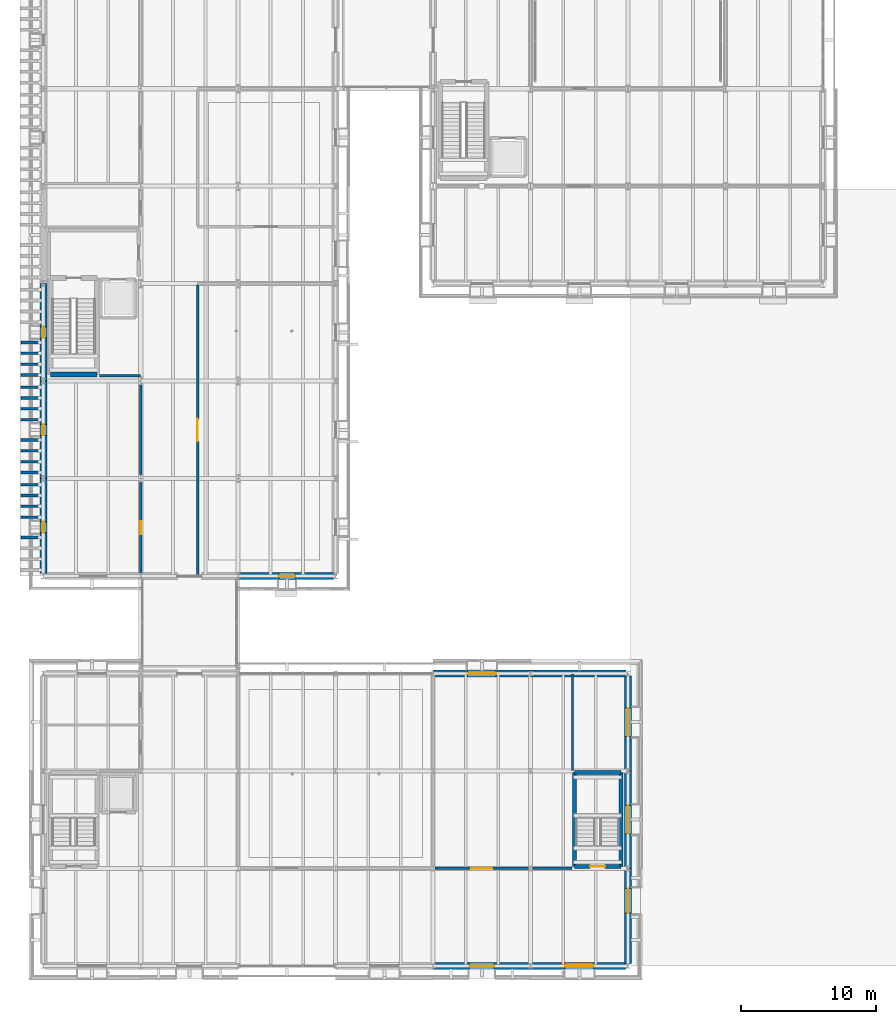
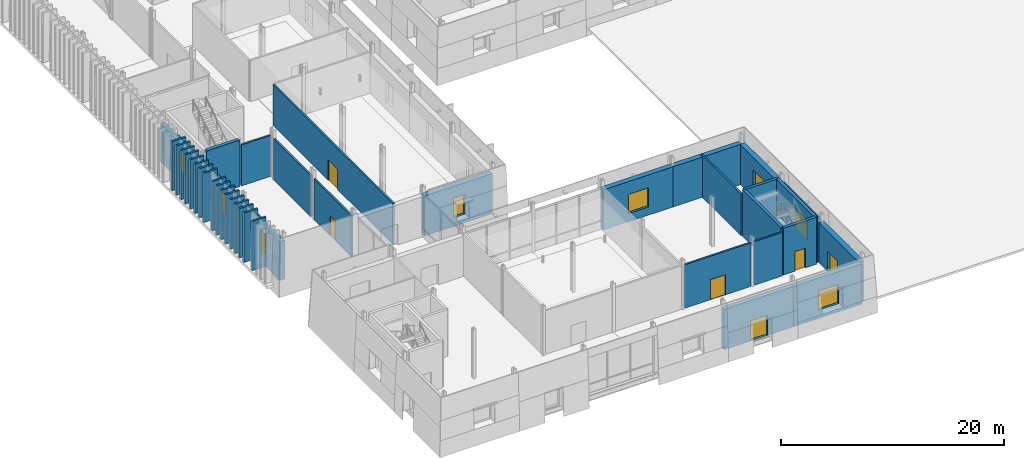
# One storey, part 68 of 120: 40 walls, 8 windows, 6 doors, 14 openings.
"""IFC4 building model written with IfcOpenShell, lengths in metres."""

import ifcopenshell
import ifcopenshell.guid

model = None  # the IFC model being written
_history = None  # IfcOwnerHistory: only IFC2X3 demands one
_inside = {}  # id of a spatial element -> (the spatial element, [elements in it])
_under = {}  # id of a project, library or spatial element -> (it, [spatial elements below it])
_declared = {}  # id of a project -> (the project, [libraries it declares])
_typed = {}  # id of a type object -> (the type object, [elements of that type])
_made_of = {}  # id of a material, layer set ... -> (it, [elements and type objects made of it])


def new_model(schema):
    """Start an empty IFC model of exactly this schema.

    Asked for "IFC4X3", IfcOpenShell would pick the latest addendum, in which some entities
    have other attributes; the version numbers below select the first issue.
    IFC2X3 requires an IfcOwnerHistory on every rooted entity: one is made here for all.
    """
    global model, _history
    if schema == "IFC4X3":
        model = ifcopenshell.file(schema_version=(4, 3, 0, 0))
    else:
        model = ifcopenshell.file(schema=schema)
    _inside.clear()
    _under.clear()
    _declared.clear()
    _typed.clear()
    _made_of.clear()
    _history = None
    if model.schema == "IFC2X3":
        org = make("IfcOrganization", Name="unknown")
        user = make(
            "IfcPersonAndOrganization",
            ThePerson=make("IfcPerson", FamilyName="unknown"),
            TheOrganization=org,
        )
        app = make(
            "IfcApplication",
            ApplicationDeveloper=org,
            Version="unknown",
            ApplicationFullName="unknown",
            ApplicationIdentifier="unknown",
        )
        _history = make(
            "IfcOwnerHistory",
            OwningUser=user,
            OwningApplication=app,
            ChangeAction="ADDED",
            CreationDate=0,
        )
    return model


def make(cls, **values):
    """One entity of the class cls with the attributes given. An attribute that is None is left unset."""
    return model.create_entity(
        cls, **{name: value for name, value in values.items() if value is not None}
    )


def rooted(cls, **values):
    """An entity with a GlobalId (a new one), such as an element, a storey or a relation."""
    return make(cls, GlobalId=ifcopenshell.guid.new(), OwnerHistory=_history, **values)


def si_unit(unit_type, name, prefix=None):
    """IfcSIUnit, for example si_unit("LENGTHUNIT", "METRE", prefix="MILLI")."""
    return make("IfcSIUnit", UnitType=unit_type, Prefix=prefix, Name=name)


def assignment(units):
    """IfcUnitAssignment: the units of a project."""
    return None if units is None else make("IfcUnitAssignment", Units=units)


def point(xyz):
    """IfcCartesianPoint."""
    return None if xyz is None else make("IfcCartesianPoint", Coordinates=xyz)


def direction(xyz):
    """IfcDirection."""
    return None if xyz is None else make("IfcDirection", DirectionRatios=xyz)


def frame(location, z_axis=None, x_axis=None):
    """IfcAxis2Placement3D, a coordinate frame: its origin and axes. An axis left out is left unset."""
    return make(
        "IfcAxis2Placement3D",
        Location=point(location),
        Axis=direction(z_axis),
        RefDirection=direction(x_axis),
    )


def frame_2d(location, x_axis=None):
    """IfcAxis2Placement2D, a coordinate frame in the plane: its origin and x axis."""
    return make(
        "IfcAxis2Placement2D", Location=point(location), RefDirection=direction(x_axis)
    )


def origin():
    """The frame at (0, 0, 0) with its axes left unset."""
    return frame((0.0, 0.0, 0.0))


def place(relative_to, where):
    """IfcLocalPlacement: puts the frame where relative to a parent placement (None: the world)."""
    return make(
        "IfcLocalPlacement", PlacementRelTo=relative_to, RelativePlacement=where
    )


def context(
    kind, dimensions, precision=None, world=None, true_north=None, identifier=None
):
    """IfcGeometricRepresentationContext, for example the 3D "Model" context."""
    return make(
        "IfcGeometricRepresentationContext",
        ContextIdentifier=identifier,
        ContextType=kind,
        CoordinateSpaceDimension=dimensions,
        Precision=precision,
        WorldCoordinateSystem=world,
        TrueNorth=true_north,
    )


def subcontext(parent, identifier, kind, view, scale=None):
    """IfcGeometricRepresentationSubContext, for example "Body" below "Model"."""
    return make(
        "IfcGeometricRepresentationSubContext",
        ContextIdentifier=identifier,
        ContextType=kind,
        ParentContext=parent,
        TargetScale=scale,
        TargetView=view,
    )


def project(units=None, contexts=None):
    """IfcProject with its units and contexts."""
    return rooted(
        "IfcProject",
        Name="project",
        RepresentationContexts=contexts,
        UnitsInContext=assignment(units),
    )


def spatial(cls, under=None, at=None, **own):
    """A site, building, storey or space (cls), placed at a placement, below another one or the project."""
    s = rooted(cls, ObjectPlacement=at, **own)
    if under is not None:
        _under.setdefault(under.id(), (under, []))[1].append(s)
    return s


def profile(cls, at=None, kind="AREA", **sizes):
    """A parametric profile (cls). Its sizes go by their IFC names, for example OverallWidth=200.0."""
    return make(cls, ProfileType=kind, Position=at, **sizes)


def rectangle(**sizes):
    """IfcRectangleProfileDef."""
    return profile("IfcRectangleProfileDef", **sizes)


def extrude(swept, where, along, depth):
    """IfcExtrudedAreaSolid: the profile swept, set in the frame where, extruded along a direction by depth."""
    return make(
        "IfcExtrudedAreaSolid",
        SweptArea=swept,
        Position=where,
        ExtrudedDirection=direction(along),
        Depth=depth,
    )


def shape(context_of_items, identifier, shape_type, items):
    """IfcShapeRepresentation: the items that make up one representation, for example the "Body"."""
    return make(
        "IfcShapeRepresentation",
        ContextOfItems=context_of_items,
        RepresentationIdentifier=identifier,
        RepresentationType=shape_type,
        Items=items,
    )


def material(Name=None, Category=None):
    """IfcMaterial."""
    return make("IfcMaterial", Name=Name, Category=Category)


def layer(
    of_material, thickness, ventilated=None, Name=None, Category=None, Priority=None
):
    """IfcMaterialLayer: one layer of a wall or slab, of a material (None: an air gap)."""
    return make(
        "IfcMaterialLayer",
        Material=of_material,
        LayerThickness=thickness,
        IsVentilated=ventilated,
        Name=Name,
        Category=Category,
        Priority=Priority,
    )


def layer_set(layers, Name=None):
    """IfcMaterialLayerSet."""
    return make("IfcMaterialLayerSet", MaterialLayers=layers, LayerSetName=Name)


def made_of(thing, what):
    """Note that an element or type object is made of a material, layer set ...; save() writes the relation."""
    if what is not None:
        _made_of.setdefault(what.id(), (what, []))[1].append(thing)
    return thing


def type_object(cls, material=None, **own):
    """A type object (cls), such as IfcWallType, which elements share."""
    return made_of(rooted(cls, **own), material)


def element(
    cls,
    number,
    at=None,
    inside=None,
    cuts=None,
    type_object=None,
    material=None,
    context=None,
    identifier="Body",
    shape_type=None,
    held_by="IfcProductDefinitionShape",
    body=None,
    shapes=None,
    **own,
):
    """One element of the class cls, such as IfcWall. Its Tag is "e" and its number.

    at: its placement. inside: the storey or other place that contains it. cuts: it is an
    opening in that element (IfcRelVoidsElement). A single representation is given by context,
    identifier, shape_type and body (its items); several are given by shapes. held_by: the class
    of the entity that holds the representations. save() writes the other relations.
    """
    e = rooted(cls, Tag="e%d" % number, ObjectPlacement=at, **own)
    if body is not None:
        shapes = [shape(context, identifier, shape_type, body)]
    if shapes is not None:
        e.Representation = make(held_by, Representations=shapes)
    if inside is not None:
        _inside.setdefault(inside.id(), (inside, []))[1].append(e)
    if cuts is not None:
        rooted(
            "IfcRelVoidsElement", RelatingBuildingElement=cuts, RelatedOpeningElement=e
        )
    if type_object is not None:
        _typed.setdefault(type_object.id(), (type_object, []))[1].append(e)
    return made_of(e, material)


def fill(opening, filler):
    """IfcRelFillsElement: the door or window that sits in an opening."""
    return rooted(
        "IfcRelFillsElement",
        RelatingOpeningElement=opening,
        RelatedBuildingElement=filler,
    )


def aggregate(whole, parts):
    """IfcRelAggregates: a whole, such as a stair, and the parts it consists of."""
    return rooted("IfcRelAggregates", RelatingObject=whole, RelatedObjects=parts)


def save(model, path):
    """Write the relations noted so far, then the file.

    IfcRelAggregates (storeys below a building ...), IfcRelContainedInSpatialStructure (elements
    in a storey), IfcRelDefinesByType, IfcRelAssociatesMaterial and IfcRelDeclares: one each for
    every whole, place, type object, material and project.
    """
    for whole, parts in _under.values():
        aggregate(whole, parts)
    for where, things in _inside.values():
        rooted(
            "IfcRelContainedInSpatialStructure",
            RelatedElements=things,
            RelatingStructure=where,
        )
    for kind, things in _typed.values():
        rooted("IfcRelDefinesByType", RelatedObjects=things, RelatingType=kind)
    for what, things in _made_of.values():
        rooted("IfcRelAssociatesMaterial", RelatedObjects=things, RelatingMaterial=what)
    for by, libraries in _declared.values():
        rooted("IfcRelDeclares", RelatingContext=by, RelatedDefinitions=libraries)
    model.write(path)


model = new_model("IFC4")

# Units and contexts
model_context = context("Model", 3, precision=1e-05, world=origin(), true_north=direction((0.0, 1.0)))
body_context = subcontext(model_context, "Body", "Model", "MODEL_VIEW")
ifc_project = project(units=[si_unit("LENGTHUNIT", "METRE"), si_unit("AREAUNIT", "SQUARE_METRE"), si_unit("VOLUMEUNIT", "CUBIC_METRE"), si_unit("PLANEANGLEUNIT", "RADIAN"), si_unit("MASSUNIT", "GRAM", prefix="KILO")], contexts=[model_context])

# Site, building, storey
site_placement = place(None, origin())
site = spatial("IfcSite", under=ifc_project, at=site_placement, CompositionType="ELEMENT")
building_placement = place(site_placement, origin())
building = spatial("IfcBuilding", under=site, at=building_placement, Name="Narikvali Park Central Library", CompositionType="ELEMENT")
storey_placement = place(building_placement, origin())
storey = spatial("IfcBuildingStorey", under=building, at=storey_placement, Name="L00", CompositionType="ELEMENT", Elevation=0.0)

# Walls
ifc_material_1 = material(Name="Kiln-Fired Terracotta Red Brick Masonry", Category="masonry")
ifc_layer_1 = layer(ifc_material_1, 0.199951171875, Name="Kiln-Fired Terracotta Red Brick Masonry")
ifc_layer_set_1 = layer_set([ifc_layer_1], Name="Kiln-Fired Terracotta Red Brick Masonry")
wall_type_1 = type_object("IfcWallType", Name="Kiln-Fired Red Brick Vertical Fin Wall 200", PredefinedType="SOLIDWALL", material=ifc_layer_set_1)
for number, where, z_axis, x_axis, name in (
    (1, (-1.659912109375, 31.64990234375, 0.0), (0.0, 0.0, 1.0), (1.0, 0.0, 0.0), "West Stacks Red Brick Vertical Fin Pier 013"),
    (2, (-1.659912109375, 33.14990234375, 0.0), (0.0, 0.0, 1.0), (1.0, 0.0, 0.0), "West Stacks Red Brick Vertical Fin Pier 017"),
    (3, (-1.659912109375, 33.949951171875, 0.0), (0.0, 0.0, 1.0), (1.0, 0.0, 0.0), "West Stacks Red Brick Vertical Fin Pier 021"),
    (4, (-1.659912109375, 34.75, 0.0), (0.0, 0.0, 1.0), (1.0, 0.0, 0.0), "West Stacks Red Brick Vertical Fin Pier 025"),
    (5, (-1.659912109375, 35.550048828125, 0.0), (0.0, 0.0, 1.0), (1.0, 0.0, 0.0), "West Stacks Red Brick Vertical Fin Pier 029"),
    (6, (-1.659912109375, 36.449951171875, 0.0), (0.0, 0.0, 1.0), (1.0, 0.0, 0.0), "West Stacks Red Brick Vertical Fin Pier 033"),
    (7, (-1.659912109375, 37.25, 0.0), (0.0, 0.0, 1.0), (1.0, 0.0, 0.0), "West Stacks Red Brick Vertical Fin Pier 038"),
    (8, (-1.659912109375, 38.050048828125, 0.0), (0.0, 0.0, 1.0), (1.0, 0.0, 0.0), "West Stacks Red Brick Vertical Fin Pier 043"),
    (9, (-1.659912109375, 38.85009765625, 0.0), (0.0, 0.0, 1.0), (1.0, 0.0, 0.0), "West Stacks Red Brick Vertical Fin Pier 048"),
    (10, (-1.659912109375, 40.35009765625, 0.0), (0.0, 0.0, 1.0), (1.0, 0.0, 0.0), "West Stacks Red Brick Vertical Fin Pier 053"),
    (11, (-1.659912109375, 41.14990234375, 0.0), (0.0, 0.0, 1.0), (1.0, 0.0, 0.0), "West Stacks Red Brick Vertical Fin Pier 058"),
    (12, (-1.659912109375, 41.949951171875, 0.0), (0.0, 0.0, 1.0), (1.0, 0.0, 0.0), "West Stacks Red Brick Vertical Fin Pier 063"),
    (13, (-1.659912109375, 42.75, 0.0), (0.0, 0.0, 1.0), (1.0, 0.0, 0.0), "West Stacks Red Brick Vertical Fin Pier 068"),
    (14, (-1.659912109375, 43.64990234375, 0.0), (0.0, 0.0, 1.0), (1.0, 0.0, 0.0), "West Stacks Red Brick Vertical Fin Pier 073"),
    (15, (-1.659912109375, 44.449951171875, 0.0), (0.0, 0.0, 1.0), (1.0, 0.0, 0.0), "West Stacks Red Brick Vertical Fin Pier 079"),
    (16, (-1.659912109375, 45.25, 0.0), (0.0, 0.0, 1.0), (1.0, 0.0, 0.0), "West Stacks Red Brick Vertical Fin Pier 085"),
    (17, (-1.659912109375, 46.050048828125, 0.0), (0.0, 0.0, 1.0), (1.0, 0.0, 0.0), "West Stacks Red Brick Vertical Fin Pier 091"),
):
    element("IfcWall", number, at=place(storey_placement, frame(where, z_axis=z_axis, x_axis=x_axis)), inside=storey, type_object=wall_type_1, Name=name, PredefinedType="SOLIDWALL", context=body_context, shape_type="SweptSolid", body=[
        extrude(rectangle(XDim=1.43994140625, YDim=0.199951171875, at=frame_2d((0.719970703125, 0.0))), origin(), (0.0, 0.0, 1.0), 5.39990234375),
    ])

# Wall, opening, door
ifc_material_2 = material(Name="Acoustic Gypsum on Steel Studs", Category="steel")
ifc_layer_2 = layer(ifc_material_2, 0.179931640625, Name="Acoustic Gypsum on Steel Studs")
ifc_layer_set_2 = layer_set([ifc_layer_2], Name="Acoustic Gypsum on Steel Studs")
wall_type_2 = type_object("IfcWallType", Name="Reading Room Acoustic Partition 180", PredefinedType="PARTITIONING", material=ifc_layer_set_2)
wall_1_placement = place(storey_placement, frame((28.9541015625, 7.199951171875, 0.0), z_axis=(0.0, 0.0, 1.0), x_axis=(1.0, 0.0, 0.0)))
wall_1 = element("IfcWall", 18, at=wall_1_placement, inside=storey, type_object=wall_type_2, Name="Young Adult Reading Room Partition S", PredefinedType="PARTITIONING", context=body_context, shape_type="SweptSolid", body=[
    extrude(rectangle(XDim=6.891845703125, YDim=0.179931640625, at=frame_2d((3.44580078125, 0.0))), origin(), (0.0, 0.0, 1.0), 4.764892578125),
])
opening_1_placement = place(wall_1_placement, frame((2.6708984375, 0.0, 0.0)))
opening_1 = element("IfcOpeningElement", 19, at=opening_1_placement, cuts=wall_1, Name="Opening ID-0053", PredefinedType="OPENING", context=body_context, shape_type="SweptSolid", body=[
    extrude(rectangle(XDim=1.550048828125, YDim=2.199951171875, at=frame_2d((0.77490234375, 1.10009765625))), frame((0.0, 0.10205078125, 0.0), z_axis=(0.0, -1.0, 0.0), x_axis=(1.0, 0.0, 0.0)), (0.0, 0.0, 1.0), 0.203857421875),
])
ifc_material_3 = material(Name="Caucasian Oak with Vision Panel")
door_type_1 = type_object("IfcDoorType", Name="Children Library Colourful Oak Door 1550x2200", OperationType="DOUBLE_DOOR_SINGLE_SWING", PredefinedType="DOOR", material=ifc_material_3)
door_1_placement = place(opening_1_placement, origin())
door_1 = element("IfcDoor", 20, at=door_1_placement, inside=storey, type_object=door_type_1, Name="Young Adult Reading Room Door ID-0053", OperationType="DOUBLE_DOOR_SINGLE_SWING", OverallHeight=2.199951171875, OverallWidth=1.550048828125, PredefinedType="DOOR", context=body_context, shape_type="SweptSolid", body=[
    extrude(rectangle(XDim=1.550048828125, YDim=2.199951171875, at=frame_2d((0.77490234375, 1.10009765625))), frame((0.0, 0.02490234375, 0.0), z_axis=(0.0, -1.0, 0.0), x_axis=(1.0, 0.0, 0.0)), (0.0, 0.0, 1.0), 0.050048828125),
])
fill(opening_1, door_1)

# Walls
wall_2_placement = place(storey_placement, frame((36.154052734375, 7.199951171875, 0.0), z_axis=(0.0, 0.0, 1.0), x_axis=(1.0, 0.0, 0.0)))
element("IfcWall", 21, at=wall_2_placement, inside=storey, type_object=wall_type_2, Name="Young Adult Reading Room Partition S", PredefinedType="PARTITIONING", context=body_context, shape_type="SweptSolid", body=[
    extrude(rectangle(XDim=2.923828125, YDim=0.179931640625, at=frame_2d((1.4619140625, 0.0))), origin(), (0.0, 0.0, 1.0), 4.764892578125),
])
wall_3_placement = place(storey_placement, frame((4.14697265625, 43.60009765625, 0.0), z_axis=(0.0, 0.0, 1.0), x_axis=(1.0, 0.0, 0.0)))
element("IfcWall", 22, at=wall_3_placement, inside=storey, type_object=wall_type_2, Name="Acquisitions and Cataloguing Office L00 Partition N", PredefinedType="PARTITIONING", context=body_context, shape_type="SweptSolid", body=[
    extrude(rectangle(XDim=3.052978515625, YDim=0.179931640625, at=frame_2d((1.5263671875, 0.0))), origin(), (0.0, 0.0, 1.0), 4.4951171875),
])
wall_4_placement = place(storey_placement, frame((39.10009765625, 14.422119140625, 0.0), z_axis=(0.0, 0.0, 1.0), x_axis=(0.0, 1.0, 0.0)))
element("IfcWall", 23, at=wall_4_placement, inside=storey, type_object=wall_type_2, Name="Young Adult Reading Room Partition E", PredefinedType="PARTITIONING", context=body_context, shape_type="SweptSolid", body=[
    extrude(rectangle(XDim=7.122802734375, YDim=0.179931640625, at=frame_2d((3.5615234375, 0.0))), origin(), (0.0, 0.0, 1.0), 4.554931640625),
])

# Wall, opening, door
wall_5_placement = place(storey_placement, frame((7.199951171875, 29.00146484375, 0.0), z_axis=(0.0, 0.0, 1.0), x_axis=(0.0, 1.0, 0.0)))
wall_5 = element("IfcWall", 24, at=wall_5_placement, inside=storey, type_object=wall_type_2, Name="Acquisitions and Cataloguing Office L00 Partition E", PredefinedType="PARTITIONING", context=body_context, shape_type="SweptSolid", body=[
    extrude(rectangle(XDim=6.70849609375, YDim=0.179931640625, at=frame_2d((3.354248046875, 0.0))), origin(), (0.0, 0.0, 1.0), 4.4951171875),
])
opening_2_placement = place(wall_5_placement, frame((2.87939453125, 0.0, 0.0)))
opening_2 = element("IfcOpeningElement", 25, at=opening_2_placement, cuts=wall_5, Name="Opening ID-0112", PredefinedType="OPENING", context=body_context, shape_type="SweptSolid", body=[
    extrude(rectangle(XDim=0.949951171875, YDim=2.14990234375, at=frame_2d((0.47509765625, 1.074951171875))), frame((0.0, 0.10205078125, 0.0), z_axis=(0.0, -1.0, 0.0), x_axis=(1.0, 0.0, 0.0)), (0.0, 0.0, 1.0), 0.203857421875),
])
ifc_material_4 = material(Name="Solid Caucasian Oak")
door_type_2 = type_object("IfcDoorType", Name="Staff Cataloguing Office Door 950x2150", OperationType="SINGLE_SWING_LEFT", PredefinedType="DOOR", material=ifc_material_4)
door_2_placement = place(opening_2_placement, origin())
door_2 = element("IfcDoor", 26, at=door_2_placement, inside=storey, type_object=door_type_2, Name="Acquisitions and Cataloguing Office L00 Door ID-0112", OperationType="SINGLE_SWING_RIGHT", OverallHeight=2.14990234375, OverallWidth=0.949951171875, PredefinedType="DOOR", context=body_context, shape_type="SweptSolid", body=[
    extrude(rectangle(XDim=0.949951171875, YDim=2.14990234375, at=frame_2d((0.47509765625, 1.074951171875))), frame((0.0, 0.02490234375, 0.0), z_axis=(0.0, -1.0, 0.0), x_axis=(1.0, 0.0, 0.0)), (0.0, 0.0, 1.0), 0.050048828125),
])
fill(opening_2, door_2)

# Wall
wall_6_placement = place(storey_placement, frame((7.199951171875, 36.2900390625, 0.0), z_axis=(0.0, 0.0, 1.0), x_axis=(0.0, 1.0, 0.0)))
element("IfcWall", 27, at=wall_6_placement, inside=storey, type_object=wall_type_2, Name="Acquisitions and Cataloguing Office L00 Partition E", PredefinedType="PARTITIONING", context=body_context, shape_type="SweptSolid", body=[
    extrude(rectangle(XDim=6.619873046875, YDim=0.179931640625, at=frame_2d((3.31005859375, 0.0))), origin(), (0.0, 0.0, 1.0), 4.4951171875),
])

# Wall, opening, door
wall_7_placement = place(storey_placement, frame((11.39990234375, 28.85498046875, 0.0), z_axis=(0.0, 0.0, 1.0), x_axis=(0.0, 1.0, 0.0)))
wall_7 = element("IfcWall", 28, at=wall_7_placement, inside=storey, type_object=wall_type_2, Name="General Collection Open Book Stacks L00 Partition W", PredefinedType="PARTITIONING", context=body_context, shape_type="SweptSolid", body=[
    extrude(rectangle(XDim=21.453125, YDim=0.179931640625, at=frame_2d((10.7265625, 0.0))), origin(), (0.0, 0.0, 1.0), 4.485107421875),
])
opening_3_placement = place(wall_7_placement, frame((9.901611328125, 0.0, 0.0)))
opening_3 = element("IfcOpeningElement", 29, at=opening_3_placement, cuts=wall_7, Name="Opening ID-0113", PredefinedType="OPENING", context=body_context, shape_type="SweptSolid", body=[
    extrude(rectangle(XDim=1.64990234375, YDim=2.25, at=frame_2d((0.824951171875, 1.125))), frame((0.0, 0.10205078125, 0.0), z_axis=(0.0, -1.0, 0.0), x_axis=(1.0, 0.0, 0.0)), (0.0, 0.0, 1.0), 0.203857421875),
])
ifc_material_5 = material(Name="Caucasian Oak and Tempered Glass", Category="glass")
door_type_3 = type_object("IfcDoorType", Name="Open Stacks Double Glazed Door 1650x2250", OperationType="DOUBLE_DOOR_SINGLE_SWING", PredefinedType="DOOR", material=ifc_material_5)
door_3_placement = place(opening_3_placement, frame((1.64990234375, 0.0, 0.0), z_axis=(0.0, 0.0, 1.0), x_axis=(-1.0, 0.0, 0.0)))
door_3 = element("IfcDoor", 30, at=door_3_placement, inside=storey, type_object=door_type_3, Name="General Collection Open Book Stacks L00 Door ID-0113", OperationType="DOUBLE_DOOR_SINGLE_SWING", OverallHeight=2.25, OverallWidth=1.64990234375, PredefinedType="DOOR", context=body_context, shape_type="SweptSolid", body=[
    extrude(rectangle(XDim=1.64990234375, YDim=2.25, at=frame_2d((0.824951171875, 1.125))), frame((0.0, 0.02490234375, 0.0), z_axis=(0.0, -1.0, 0.0), x_axis=(1.0, 0.0, 0.0)), (0.0, 0.0, 1.0), 0.050048828125),
])
fill(opening_3, door_3)

# Wall
ifc_material_6 = material(Name="Concrete C40/50", Category="concrete")
ifc_layer_3 = layer(ifc_material_6, 0.35009765625, Name="Concrete C40/50")
ifc_layer_set_3 = layer_set([ifc_layer_3], Name="Concrete C40/50")
wall_type_3 = type_object("IfcWallType", Name="Reinforced Concrete Core Shear Wall 350", PredefinedType="SHEAR", material=ifc_layer_set_3)
wall_8_placement = place(storey_placement, frame((0.530029296875, 43.679931640625, 0.0), z_axis=(0.0, 0.0, 1.0), x_axis=(1.0, 0.0, 0.0)))
element("IfcWall", 31, at=wall_8_placement, inside=storey, type_object=wall_type_3, Name="C5A L00 Stair Core Shear Wall S", PredefinedType="SHEAR", context=body_context, shape_type="SweptSolid", body=[
    extrude(rectangle(XDim=3.43994140625, YDim=0.35009765625, at=frame_2d((1.719970703125, 0.0))), origin(), (0.0, 0.0, 1.0), 5.10009765625),
])

# Wall, opening, door
ifc_layer_4 = layer(ifc_material_6, 0.300048828125, Name="Concrete C40/50")
ifc_layer_set_4 = layer_set([ifc_layer_4], Name="Concrete C40/50")
wall_type_4 = type_object("IfcWallType", Name="Reinforced Concrete Shear Wall 300", PredefinedType="SHEAR", material=ifc_layer_set_4)
wall_9_placement = place(storey_placement, frame((39.22998046875, 7.330078125, 0.0), z_axis=(0.0, 0.0, 1.0), x_axis=(1.0, 0.0, 0.0)))
wall_9 = element("IfcWall", 32, at=wall_9_placement, inside=storey, type_object=wall_type_4, Name="C2B L00 Stair Core Shear Wall S", PredefinedType="SHEAR", context=body_context, shape_type="SweptSolid", body=[
    extrude(rectangle(XDim=3.43994140625, YDim=0.300048828125, at=frame_2d((1.719970703125, 0.0))), origin(), (0.0, 0.0, 1.0), 5.1201171875),
])
opening_4_placement = place(wall_9_placement, frame((1.169921875, 0.0, 0.0)))
opening_4 = element("IfcOpeningElement", 33, at=opening_4_placement, cuts=wall_9, Name="Opening SD-014", PredefinedType="OPENING", context=body_context, shape_type="SweptSolid", body=[
    extrude(rectangle(XDim=1.10009765625, YDim=2.14990234375, at=frame_2d((0.550048828125, 1.074951171875))), frame((0.0, 0.162109375, 0.0), z_axis=(0.0, -1.0, 0.0), x_axis=(1.0, 0.0, 0.0)), (0.0, 0.0, 1.0), 0.323974609375),
])
ifc_material_7 = material(Name="Powder-Coated Steel S275 Fire Leaf", Category="steel")
door_type_4 = type_object("IfcDoorType", Name="Stair Core Smoke-Control Fire Door 1100x2150", OperationType="SINGLE_SWING_LEFT", PredefinedType="DOOR", material=ifc_material_7)
door_4_placement = place(opening_4_placement, frame((1.10009765625, 0.0, 0.0), z_axis=(0.0, 0.0, 1.0), x_axis=(-1.0, 0.0, 0.0)))
door_4 = element("IfcDoor", 34, at=door_4_placement, inside=storey, type_object=door_type_4, Name="ST-04 L00 Stair Exit Door SD-014", OperationType="SINGLE_SWING_RIGHT", OverallHeight=2.14990234375, OverallWidth=1.10009765625, PredefinedType="DOOR", context=body_context, shape_type="SweptSolid", body=[
    extrude(rectangle(XDim=1.10009765625, YDim=2.14990234375, at=frame_2d((0.550048828125, 1.074951171875))), frame((0.0, 0.02490234375, 0.0), z_axis=(0.0, -1.0, 0.0), x_axis=(1.0, 0.0, 0.0)), (0.0, 0.0, 1.0), 0.050048828125),
])
fill(opening_4, door_4)

# Walls
wall_10_placement = place(storey_placement, frame((42.669921875, 7.330078125, 0.0), z_axis=(0.0, 0.0, 1.0), x_axis=(0.0, 1.0, 0.0)))
element("IfcWall", 35, at=wall_10_placement, inside=storey, type_object=wall_type_4, Name="C2B L00 Stair Core Shear Wall E", PredefinedType="SHEAR", context=body_context, shape_type="SweptSolid", body=[
    extrude(rectangle(XDim=6.93994140625, YDim=0.300048828125, at=frame_2d((3.469970703125, 0.0))), origin(), (0.0, 0.0, 1.0), 5.1201171875),
])
wall_11_placement = place(storey_placement, frame((42.669921875, 14.27001953125, 0.0), z_axis=(0.0, 0.0, 1.0), x_axis=(-1.0, 0.0, 0.0)))
element("IfcWall", 36, at=wall_11_placement, inside=storey, type_object=wall_type_4, Name="C2B L00 Stair Core Shear Wall N", PredefinedType="SHEAR", context=body_context, shape_type="SweptSolid", body=[
    extrude(rectangle(XDim=3.43994140625, YDim=0.300048828125, at=frame_2d((1.719970703125, 0.0))), origin(), (0.0, 0.0, 1.0), 5.1201171875),
])
wall_12_placement = place(storey_placement, frame((39.22998046875, 14.27001953125, 0.0), z_axis=(0.0, 0.0, 1.0), x_axis=(0.0, -1.0, 0.0)))
element("IfcWall", 37, at=wall_12_placement, inside=storey, type_object=wall_type_4, Name="C2B L00 Stair Core Shear Wall W", PredefinedType="SHEAR", context=body_context, shape_type="SweptSolid", body=[
    extrude(rectangle(XDim=6.93994140625, YDim=0.300048828125, at=frame_2d((3.469970703125, 0.0))), origin(), (0.0, 0.0, 1.0), 5.1201171875),
])

# Wall, opening, door
ifc_material_8 = material(Name="White Rusticated Limestone over Concrete C35/45", Category="masonry")
ifc_layer_5 = layer(ifc_material_8, 0.52001953125, Name="White Rusticated Limestone over Concrete C35/45")
ifc_layer_set_5 = layer_set([ifc_layer_5], Name="White Rusticated Limestone over Concrete C35/45")
wall_type_5 = type_object("IfcWallType", Name="White Limestone Ashlar Plinth Wall 520", PredefinedType="SOLIDWALL", material=ifc_layer_set_5)
wall_13_placement = place(storey_placement, frame((28.800048828125, 0.0, 0.0), z_axis=(0.0, 0.0, 1.0), x_axis=(1.0, 0.0, 0.0)))
wall_13 = element("IfcWall", 38, at=wall_13_placement, inside=storey, type_object=wall_type_5, Name="V2 L00 S Exterior Limestone Wall B05", PredefinedType="SOLIDWALL", context=body_context, shape_type="SweptSolid", body=[
    extrude(rectangle(XDim=7.199951171875, YDim=0.52001953125, at=frame_2d((3.60009765625, 0.0))), origin(), (0.0, 0.0, 1.0), 4.39990234375),
])
opening_5_placement = place(wall_13_placement, frame((2.699951171875, 0.0, 0.0)))
opening_5 = element("IfcOpeningElement", 39, at=opening_5_placement, cuts=wall_13, Name="Opening ED-012", PredefinedType="OPENING", context=body_context, shape_type="SweptSolid", body=[
    extrude(rectangle(XDim=1.800048828125, YDim=2.199951171875, at=frame_2d((0.89990234375, 1.10009765625))), frame((0.0, 0.27197265625, 0.0), z_axis=(0.0, -1.0, 0.0), x_axis=(1.0, 0.0, 0.0)), (0.0, 0.0, 1.0), 0.5439453125),
])
ifc_material_9 = material(Name="Powder-Coated Galvanised Steel S275", Category="steel")
door_type_5 = type_object("IfcDoorType", Name="Exterior Final Exit Double Fire Door 1800x2200", OperationType="DOUBLE_DOOR_SINGLE_SWING", PredefinedType="DOOR", material=ifc_material_9)
door_5_placement = place(opening_5_placement, frame((1.800048828125, 0.0, 0.0), z_axis=(0.0, 0.0, 1.0), x_axis=(-1.0, 0.0, 0.0)))
door_5 = element("IfcDoor", 40, at=door_5_placement, inside=storey, type_object=door_type_5, Name="V2 Ground Final Exit Discharge Door ED-012", OperationType="DOUBLE_DOOR_SINGLE_SWING", OverallHeight=2.199951171875, OverallWidth=1.800048828125, PredefinedType="DOOR", context=body_context, shape_type="SweptSolid", body=[
    extrude(rectangle(XDim=1.800048828125, YDim=2.199951171875, at=frame_2d((0.89990234375, 1.10009765625))), frame((0.0, 0.02490234375, 0.0), z_axis=(0.0, -1.0, 0.0), x_axis=(1.0, 0.0, 0.0)), (0.0, 0.0, 1.0), 0.050048828125),
])
fill(opening_5, door_5)

# Wall, opening, window
wall_14_placement = place(storey_placement, frame((36.0, 0.0, 0.0), z_axis=(0.0, 0.0, 1.0), x_axis=(1.0, 0.0, 0.0)))
wall_14 = element("IfcWall", 41, at=wall_14_placement, inside=storey, type_object=wall_type_5, Name="V2 L00 S Exterior Limestone Wall B06", PredefinedType="SOLIDWALL", context=body_context, shape_type="SweptSolid", body=[
    extrude(rectangle(XDim=7.0458984375, YDim=0.52001953125, at=frame_2d((3.52294921875, 0.0))), origin(), (0.0, 0.0, 1.0), 4.39990234375),
])
opening_6_placement = place(wall_14_placement, frame((2.550048828125, 0.0, 0.89990234375)))
opening_6 = element("IfcOpeningElement", 42, at=opening_6_placement, cuts=wall_14, Name="Opening WIN-0046", PredefinedType="OPENING", context=body_context, shape_type="SweptSolid", body=[
    extrude(rectangle(XDim=2.10009765625, YDim=2.10009765625, at=frame_2d((1.050048828125, 1.050048828125))), frame((0.0, 0.27197265625, 0.0), z_axis=(0.0, -1.0, 0.0), x_axis=(1.0, 0.0, 0.0)), (0.0, 0.0, 1.0), 0.5439453125),
])
ifc_material_10 = material(Name="Anodised Bronze Aluminium and Low-E Triple Glazing", Category="aluminium")
window_type_1 = type_object("IfcWindowType", Name="Children Pavilion Garden Window 2100x2100", PartitioningType="TRIPLE_PANEL_VERTICAL", PredefinedType="WINDOW", material=ifc_material_10)
window_1_placement = place(opening_6_placement, origin())
window_1 = element("IfcWindow", 43, at=window_1_placement, inside=storey, type_object=window_type_1, Name="V2 L00 S Deep-Reveal Window WIN-0046", OverallHeight=2.10009765625, OverallWidth=2.10009765625, PartitioningType="SINGLE_PANEL", PredefinedType="WINDOW", context=body_context, shape_type="SweptSolid", body=[
    extrude(rectangle(XDim=2.10009765625, YDim=2.10009765625, at=frame_2d((1.050048828125, 1.050048828125))), frame((0.0, 0.030029296875, 0.0), z_axis=(0.0, -1.0, 0.0), x_axis=(1.0, 0.0, 0.0)), (0.0, 0.0, 1.0), 0.06005859375),
])
fill(opening_6, window_1)

# Wall, opening, door
wall_15_placement = place(storey_placement, frame((43.199951171875, 0.174072265625, 0.0), z_axis=(0.0, 0.0, 1.0), x_axis=(0.0, 1.0, 0.0)))
wall_15 = element("IfcWall", 44, at=wall_15_placement, inside=storey, type_object=wall_type_5, Name="V2 L00 E Exterior Limestone Wall B01", PredefinedType="SOLIDWALL", context=body_context, shape_type="SweptSolid", body=[
    extrude(rectangle(XDim=7.02587890625, YDim=0.52001953125, at=frame_2d((3.512939453125, 0.0))), origin(), (0.0, 0.0, 1.0), 4.39990234375),
])
opening_7_placement = place(wall_15_placement, frame((3.72607421875, 0.0, 0.0)))
opening_7 = element("IfcOpeningElement", 45, at=opening_7_placement, cuts=wall_15, Name="Opening ED-013", PredefinedType="OPENING", context=body_context, shape_type="SweptSolid", body=[
    extrude(rectangle(XDim=1.800048828125, YDim=2.199951171875, at=frame_2d((0.89990234375, 1.10009765625))), frame((0.0, 0.27197265625, 0.0), z_axis=(0.0, -1.0, 0.0), x_axis=(1.0, 0.0, 0.0)), (0.0, 0.0, 1.0), 0.5439453125),
])
door_6_placement = place(opening_7_placement, frame((1.800048828125, 0.0, 0.0), z_axis=(0.0, 0.0, 1.0), x_axis=(-1.0, 0.0, 0.0)))
door_6 = element("IfcDoor", 46, at=door_6_placement, inside=storey, type_object=door_type_5, Name="V2 Ground Final Exit Discharge Door ED-013", OperationType="DOUBLE_DOOR_SINGLE_SWING", OverallHeight=2.199951171875, OverallWidth=1.800048828125, PredefinedType="DOOR", context=body_context, shape_type="SweptSolid", body=[
    extrude(rectangle(XDim=1.800048828125, YDim=2.199951171875, at=frame_2d((0.89990234375, 1.10009765625))), frame((0.0, 0.02490234375, 0.0), z_axis=(0.0, -1.0, 0.0), x_axis=(1.0, 0.0, 0.0)), (0.0, 0.0, 1.0), 0.050048828125),
])
fill(opening_7, door_6)

# Wall, opening, window
wall_16_placement = place(storey_placement, frame((43.199951171875, 7.199951171875, 0.0), z_axis=(0.0, 0.0, 1.0), x_axis=(0.0, 1.0, 0.0)))
wall_16 = element("IfcWall", 47, at=wall_16_placement, inside=storey, type_object=wall_type_5, Name="V2 L00 E Exterior Limestone Wall B02", PredefinedType="SOLIDWALL", context=body_context, shape_type="SweptSolid", body=[
    extrude(rectangle(XDim=7.199951171875, YDim=0.52001953125, at=frame_2d((3.60009765625, 0.0))), origin(), (0.0, 0.0, 1.0), 4.39990234375),
])
opening_8_placement = place(wall_16_placement, frame((2.550048828125, 0.0, 0.89990234375)))
opening_8 = element("IfcOpeningElement", 48, at=opening_8_placement, cuts=wall_16, Name="Opening WIN-0047", PredefinedType="OPENING", context=body_context, shape_type="SweptSolid", body=[
    extrude(rectangle(XDim=2.10009765625, YDim=2.10009765625, at=frame_2d((1.050048828125, 1.050048828125))), frame((0.0, 0.27197265625, 0.0), z_axis=(0.0, -1.0, 0.0), x_axis=(1.0, 0.0, 0.0)), (0.0, 0.0, 1.0), 0.5439453125),
])
window_2_placement = place(opening_8_placement, origin())
window_2 = element("IfcWindow", 49, at=window_2_placement, inside=storey, type_object=window_type_1, Name="V2 L00 E Deep-Reveal Window WIN-0047", OverallHeight=2.10009765625, OverallWidth=2.10009765625, PartitioningType="SINGLE_PANEL", PredefinedType="WINDOW", context=body_context, shape_type="SweptSolid", body=[
    extrude(rectangle(XDim=2.10009765625, YDim=2.10009765625, at=frame_2d((1.050048828125, 1.050048828125))), frame((0.0, 0.030029296875, 0.0), z_axis=(0.0, -1.0, 0.0), x_axis=(1.0, 0.0, 0.0)), (0.0, 0.0, 1.0), 0.06005859375),
])
fill(opening_8, window_2)

wall_17_placement = place(storey_placement, frame((43.199951171875, 14.39990234375, 0.0), z_axis=(0.0, 0.0, 1.0), x_axis=(0.0, 1.0, 0.0)))
wall_17 = element("IfcWall", 50, at=wall_17_placement, inside=storey, type_object=wall_type_5, Name="V2 L00 E Exterior Limestone Wall B03", PredefinedType="SOLIDWALL", context=body_context, shape_type="SweptSolid", body=[
    extrude(rectangle(XDim=7.026123046875, YDim=0.52001953125, at=frame_2d((3.51318359375, 0.0))), origin(), (0.0, 0.0, 1.0), 4.39990234375),
])
opening_9_placement = place(wall_17_placement, frame((2.550048828125, 0.0, 0.89990234375)))
opening_9 = element("IfcOpeningElement", 51, at=opening_9_placement, cuts=wall_17, Name="Opening WIN-0048", PredefinedType="OPENING", context=body_context, shape_type="SweptSolid", body=[
    extrude(rectangle(XDim=2.10009765625, YDim=2.10009765625, at=frame_2d((1.050048828125, 1.050048828125))), frame((0.0, 0.27197265625, 0.0), z_axis=(0.0, -1.0, 0.0), x_axis=(1.0, 0.0, 0.0)), (0.0, 0.0, 1.0), 0.5439453125),
])
window_3_placement = place(opening_9_placement, origin())
window_3 = element("IfcWindow", 52, at=window_3_placement, inside=storey, type_object=window_type_1, Name="V2 L00 E Deep-Reveal Window WIN-0048", OverallHeight=2.10009765625, OverallWidth=2.10009765625, PartitioningType="SINGLE_PANEL", PredefinedType="WINDOW", context=body_context, shape_type="SweptSolid", body=[
    extrude(rectangle(XDim=2.10009765625, YDim=2.10009765625, at=frame_2d((1.050048828125, 1.050048828125))), frame((0.0, 0.030029296875, 0.0), z_axis=(0.0, -1.0, 0.0), x_axis=(1.0, 0.0, 0.0)), (0.0, 0.0, 1.0), 0.06005859375),
])
fill(opening_9, window_3)

# Wall
wall_18_placement = place(storey_placement, frame((43.0458984375, 21.60009765625, 0.0), z_axis=(0.0, 0.0, 1.0), x_axis=(-1.0, 0.0, 0.0)))
element("IfcWall", 53, at=wall_18_placement, inside=storey, type_object=wall_type_5, Name="V2 L00 N Exterior Limestone Wall B01", PredefinedType="SOLIDWALL", context=body_context, shape_type="SweptSolid", body=[
    extrude(rectangle(XDim=7.0458984375, YDim=0.52001953125, at=frame_2d((3.52294921875, 0.0))), origin(), (0.0, 0.0, 1.0), 4.39990234375),
])

# Wall, opening, window
wall_19_placement = place(storey_placement, frame((36.0, 21.60009765625, 0.0), z_axis=(0.0, 0.0, 1.0), x_axis=(-1.0, 0.0, 0.0)))
wall_19 = element("IfcWall", 54, at=wall_19_placement, inside=storey, type_object=wall_type_5, Name="V2 L00 N Exterior Limestone Wall B02", PredefinedType="SOLIDWALL", context=body_context, shape_type="SweptSolid", body=[
    extrude(rectangle(XDim=7.199951171875, YDim=0.52001953125, at=frame_2d((3.60009765625, 0.0))), origin(), (0.0, 0.0, 1.0), 4.39990234375),
])
opening_10_placement = place(wall_19_placement, frame((2.550048828125, 0.0, 0.89990234375)))
opening_10 = element("IfcOpeningElement", 55, at=opening_10_placement, cuts=wall_19, Name="Opening WIN-0049", PredefinedType="OPENING", context=body_context, shape_type="SweptSolid", body=[
    extrude(rectangle(XDim=2.10009765625, YDim=2.10009765625, at=frame_2d((1.050048828125, 1.050048828125))), frame((0.0, 0.27197265625, 0.0), z_axis=(0.0, -1.0, 0.0), x_axis=(1.0, 0.0, 0.0)), (0.0, 0.0, 1.0), 0.5439453125),
])
window_4_placement = place(opening_10_placement, origin())
window_4 = element("IfcWindow", 56, at=window_4_placement, inside=storey, type_object=window_type_1, Name="V2 L00 N Deep-Reveal Window WIN-0049", OverallHeight=2.10009765625, OverallWidth=2.10009765625, PartitioningType="SINGLE_PANEL", PredefinedType="WINDOW", context=body_context, shape_type="SweptSolid", body=[
    extrude(rectangle(XDim=2.10009765625, YDim=2.10009765625, at=frame_2d((1.050048828125, 1.050048828125))), frame((0.0, 0.030029296875, 0.0), z_axis=(0.0, -1.0, 0.0), x_axis=(1.0, 0.0, 0.0)), (0.0, 0.0, 1.0), 0.06005859375),
])
fill(opening_10, window_4)

wall_20_placement = place(storey_placement, frame((14.39990234375, 28.800048828125, 0.0), z_axis=(0.0, 0.0, 1.0), x_axis=(1.0, 0.0, 0.0)))
wall_20 = element("IfcWall", 57, at=wall_20_placement, inside=storey, type_object=wall_type_5, Name="V5 L00 S Exterior Limestone Wall B03", PredefinedType="SOLIDWALL", context=body_context, shape_type="SweptSolid", body=[
    extrude(rectangle(XDim=7.0419921875, YDim=0.52001953125, at=frame_2d((3.52099609375, 0.0))), origin(), (0.0, 0.0, 1.0), 4.3798828125),
])
opening_11_placement = place(wall_20_placement, frame((3.0, 0.0, 0.949951171875)))
opening_11 = element("IfcOpeningElement", 58, at=opening_11_placement, cuts=wall_20, Name="Opening WIN-0223", PredefinedType="OPENING", context=body_context, shape_type="SweptSolid", body=[
    extrude(rectangle(XDim=1.199951171875, YDim=2.14990234375, at=frame_2d((0.60009765625, 1.074951171875))), frame((0.0, 0.27197265625, 0.0), z_axis=(0.0, -1.0, 0.0), x_axis=(1.0, 0.0, 0.0)), (0.0, 0.0, 1.0), 0.5439453125),
])
window_type_2 = type_object("IfcWindowType", Name="Stacks Archive Deep-Reveal Punched Window 1200x2150", PartitioningType="SINGLE_PANEL", PredefinedType="WINDOW", material=ifc_material_10)
window_5_placement = place(opening_11_placement, origin())
window_5 = element("IfcWindow", 59, at=window_5_placement, inside=storey, type_object=window_type_2, Name="V5 L00 S Deep-Reveal Window WIN-0223", OverallHeight=2.14990234375, OverallWidth=1.199951171875, PartitioningType="SINGLE_PANEL", PredefinedType="WINDOW", context=body_context, shape_type="SweptSolid", body=[
    extrude(rectangle(XDim=1.199951171875, YDim=2.14990234375, at=frame_2d((0.60009765625, 1.074951171875))), frame((0.0, 0.030029296875, 0.0), z_axis=(0.0, -1.0, 0.0), x_axis=(1.0, 0.0, 0.0)), (0.0, 0.0, 1.0), 0.06005859375),
])
fill(opening_11, window_5)

wall_21_placement = place(storey_placement, frame((0.0, 50.39990234375, 0.0), z_axis=(0.0, 0.0, 1.0), x_axis=(0.0, -1.0, 0.0)))
wall_21 = element("IfcWall", 60, at=wall_21_placement, inside=storey, type_object=wall_type_5, Name="V5 L00 W Exterior Limestone Wall B09", PredefinedType="SOLIDWALL", context=body_context, shape_type="SweptSolid", body=[
    extrude(rectangle(XDim=7.199951171875, YDim=0.52001953125, at=frame_2d((3.60009765625, 0.0))), origin(), (0.0, 0.0, 1.0), 4.219970703125),
])
opening_12_placement = place(wall_21_placement, frame((3.199951171875, 0.0, 0.949951171875)))
opening_12 = element("IfcOpeningElement", 61, at=opening_12_placement, cuts=wall_21, Name="Opening WIN-0239", PredefinedType="OPENING", context=body_context, shape_type="SweptSolid", body=[
    extrude(rectangle(XDim=0.800048828125, YDim=2.14990234375, at=frame_2d((0.39990234375, 1.074951171875))), frame((0.0, 0.27197265625, 0.0), z_axis=(0.0, -1.0, 0.0), x_axis=(1.0, 0.0, 0.0)), (0.0, 0.0, 1.0), 0.5439453125),
])
window_type_3 = type_object("IfcWindowType", Name="West Fin-Bay Narrow Carrel Slot Window 800x2150", PartitioningType="SINGLE_PANEL", PredefinedType="WINDOW", material=ifc_material_10)
window_6_placement = place(opening_12_placement, origin())
window_6 = element("IfcWindow", 62, at=window_6_placement, inside=storey, type_object=window_type_3, Name="V5 L00 W Deep-Reveal Window WIN-0239", OverallHeight=2.14990234375, OverallWidth=0.800048828125, PartitioningType="SINGLE_PANEL", PredefinedType="WINDOW", context=body_context, shape_type="SweptSolid", body=[
    extrude(rectangle(XDim=0.800048828125, YDim=2.14990234375, at=frame_2d((0.39990234375, 1.074951171875))), frame((0.0, 0.030029296875, 0.0), z_axis=(0.0, -1.0, 0.0), x_axis=(1.0, 0.0, 0.0)), (0.0, 0.0, 1.0), 0.06005859375),
])
fill(opening_12, window_6)

wall_22_placement = place(storey_placement, frame((0.0, 43.199951171875, 0.0), z_axis=(0.0, 0.0, 1.0), x_axis=(0.0, -1.0, 0.0)))
wall_22 = element("IfcWall", 63, at=wall_22_placement, inside=storey, type_object=wall_type_5, Name="V5 L00 W Exterior Limestone Wall B10", PredefinedType="SOLIDWALL", context=body_context, shape_type="SweptSolid", body=[
    extrude(rectangle(XDim=7.199951171875, YDim=0.52001953125, at=frame_2d((3.60009765625, 0.0))), origin(), (0.0, 0.0, 1.0), 4.219970703125),
])
opening_13_placement = place(wall_22_placement, frame((3.199951171875, 0.0, 0.949951171875)))
opening_13 = element("IfcOpeningElement", 64, at=opening_13_placement, cuts=wall_22, Name="Opening WIN-0240", PredefinedType="OPENING", context=body_context, shape_type="SweptSolid", body=[
    extrude(rectangle(XDim=0.800048828125, YDim=2.14990234375, at=frame_2d((0.39990234375, 1.074951171875))), frame((0.0, 0.27197265625, 0.0), z_axis=(0.0, -1.0, 0.0), x_axis=(1.0, 0.0, 0.0)), (0.0, 0.0, 1.0), 0.5439453125),
])
window_7_placement = place(opening_13_placement, origin())
window_7 = element("IfcWindow", 65, at=window_7_placement, inside=storey, type_object=window_type_3, Name="V5 L00 W Deep-Reveal Window WIN-0240", OverallHeight=2.14990234375, OverallWidth=0.800048828125, PartitioningType="SINGLE_PANEL", PredefinedType="WINDOW", context=body_context, shape_type="SweptSolid", body=[
    extrude(rectangle(XDim=0.800048828125, YDim=2.14990234375, at=frame_2d((0.39990234375, 1.074951171875))), frame((0.0, 0.030029296875, 0.0), z_axis=(0.0, -1.0, 0.0), x_axis=(1.0, 0.0, 0.0)), (0.0, 0.0, 1.0), 0.06005859375),
])
fill(opening_13, window_7)

wall_23_placement = place(storey_placement, frame((0.0, 36.0, 0.0), z_axis=(0.0, 0.0, 1.0), x_axis=(0.0, -1.0, 0.0)))
wall_23 = element("IfcWall", 66, at=wall_23_placement, inside=storey, type_object=wall_type_5, Name="V5 L00 W Exterior Limestone Wall B11", PredefinedType="SOLIDWALL", context=body_context, shape_type="SweptSolid", body=[
    extrude(rectangle(XDim=6.99853515625, YDim=0.52001953125, at=frame_2d((3.499267578125, 0.0))), origin(), (0.0, 0.0, 1.0), 4.219970703125),
])
opening_14_placement = place(wall_23_placement, frame((3.199951171875, 0.0, 0.949951171875)))
opening_14 = element("IfcOpeningElement", 67, at=opening_14_placement, cuts=wall_23, Name="Opening WIN-0241", PredefinedType="OPENING", context=body_context, shape_type="SweptSolid", body=[
    extrude(rectangle(XDim=0.800048828125, YDim=2.14990234375, at=frame_2d((0.39990234375, 1.074951171875))), frame((0.0, 0.27197265625, 0.0), z_axis=(0.0, -1.0, 0.0), x_axis=(1.0, 0.0, 0.0)), (0.0, 0.0, 1.0), 0.5439453125),
])
window_8_placement = place(opening_14_placement, origin())
window_8 = element("IfcWindow", 68, at=window_8_placement, inside=storey, type_object=window_type_3, Name="V5 L00 W Deep-Reveal Window WIN-0241", OverallHeight=2.14990234375, OverallWidth=0.800048828125, PartitioningType="SINGLE_PANEL", PredefinedType="WINDOW", context=body_context, shape_type="SweptSolid", body=[
    extrude(rectangle(XDim=0.800048828125, YDim=2.14990234375, at=frame_2d((0.39990234375, 1.074951171875))), frame((0.0, 0.030029296875, 0.0), z_axis=(0.0, -1.0, 0.0), x_axis=(1.0, 0.0, 0.0)), (0.0, 0.0, 1.0), 0.06005859375),
])
fill(opening_14, window_8)

save(model, "model.ifc")
